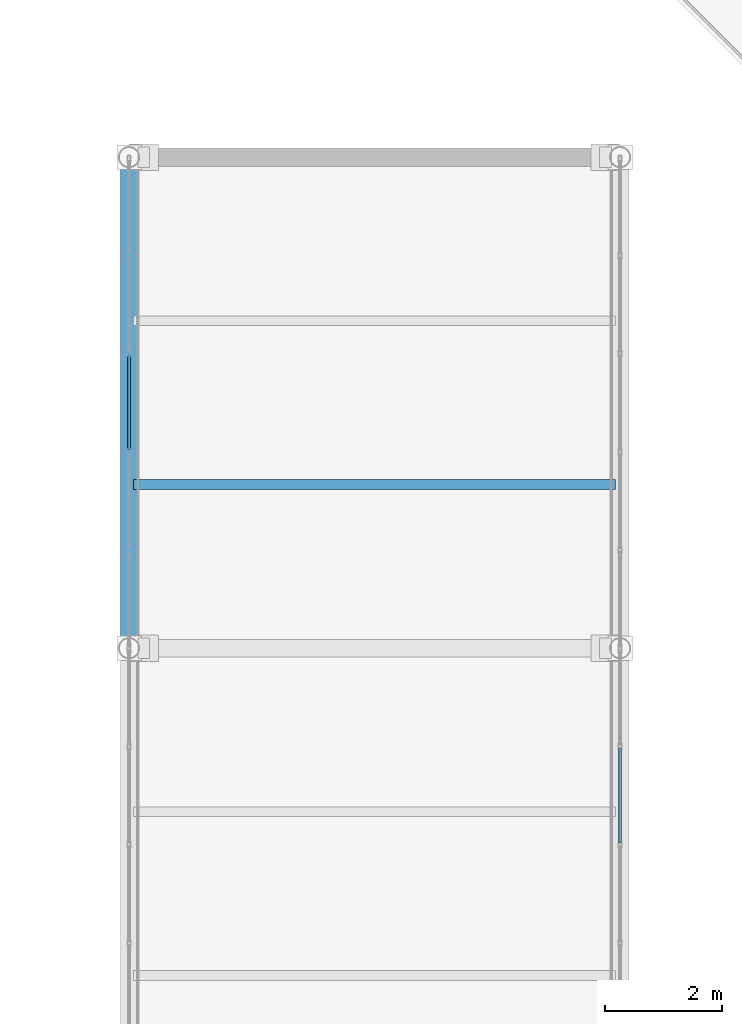
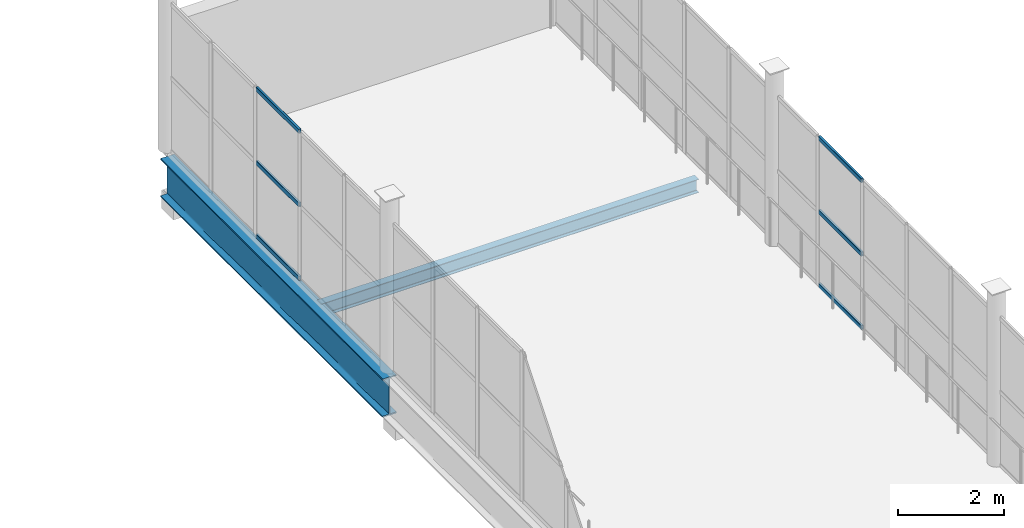
# One storey, part 65 of 184: 6 members, 2 beams, 2 elements without a shape of their own.
"""IFC4 building model written with IfcOpenShell, lengths in metres."""

from ifc_helpers import new_model, si_unit, direction, frame, origin, origin_2d, place, context, subcontext, project, spatial, hollow_rectangle, i_section, extrude, material, layer, layer_set, material_profile, profile_set, type_object, element, aggregate, save


model = new_model("IFC4")

# Units and contexts
model_context = context("Model", 3, precision=1e-05, world=origin(), true_north=direction((0.0, 1.0)))
body_context = subcontext(model_context, "Body", "Model", "MODEL_VIEW")
ifc_project = project(units=[si_unit("LENGTHUNIT", "METRE"), si_unit("AREAUNIT", "SQUARE_METRE"), si_unit("VOLUMEUNIT", "CUBIC_METRE"), si_unit("PLANEANGLEUNIT", "RADIAN"), si_unit("MASSUNIT", "GRAM", prefix="KILO")], contexts=[model_context])

# Site, building, storey
site_placement = place(None, origin())
site = spatial("IfcSite", under=ifc_project, at=site_placement, CompositionType="ELEMENT")
building_placement = place(site_placement, origin())
building = spatial("IfcBuilding", under=site, at=building_placement, Name="Qalvenar Corner Mobility Hub", CompositionType="ELEMENT")
storey_placement = place(building_placement, frame((0.0, 0.0, 9.0)))
storey = spatial("IfcBuildingStorey", under=building, at=storey_placement, Name="L02", CompositionType="ELEMENT", Elevation=9.0)

# Beams
ifc_material_1 = material(Name="Steel S355", Category="steel")
ifc_material_profile_1 = material_profile(ifc_material_1, i_section(OverallWidth=0.300048828125, OverallDepth=0.889892578125, WebThickness=0.01611328125, FlangeThickness=0.030029296875, FilletRadius=0.027099609375, at=origin_2d()), Name="HEA900")
ifc_profile_set_1 = profile_set([ifc_material_profile_1], Name="Steel S355")
beam_type_1 = type_object("IfcBeamType", Name="BM-BRG900", PredefinedType="BEAM", material=ifc_profile_set_1)
beam_1_placement = place(storey_placement, frame((50.39990234375, 58.800048828125, -0.635009765625), z_axis=(0.0, 1.0, 0.0), x_axis=(-1.0, 0.0, 0.0)))
element("IfcBeam", 1, at=beam_1_placement, inside=storey, type_object=beam_type_1, Name="Court Link Bridge Girder BRG-2175", PredefinedType="BEAM", context=body_context, shape_type="SweptSolid", body=[
    extrude(i_section(OverallWidth=0.300048828125, OverallDepth=0.889892578125, WebThickness=0.01611328125, FlangeThickness=0.030029296875, FilletRadius=0.027099609375, at=origin_2d()), origin(), (0.0, 0.0, 1.0), 8.39990234375),
])
ifc_material_profile_2 = material_profile(ifc_material_1, i_section(OverallWidth=0.1650390625, OverallDepth=0.31005859375, WebThickness=0.005859375, FlangeThickness=0.009765625, FilletRadius=0.011962890625, at=origin_2d()), Name="W310x38.7")
ifc_profile_set_2 = profile_set([ifc_material_profile_2], Name="Steel S355")
beam_type_2 = type_object("IfcBeamType", Name="BM-JST310", PredefinedType="JOIST", material=ifc_profile_set_2)
beam_2_placement = place(storey_placement, frame((50.47802734375, 61.60009765625, -0.344970703125), z_axis=(1.0, 0.0, 0.0), x_axis=(0.0, 1.0, 0.0)))
element("IfcBeam", 2, at=beam_2_placement, inside=storey, type_object=beam_type_2, Name="Composite Floor Joist J-2186", PredefinedType="JOIST", context=body_context, shape_type="SweptSolid", body=[
    extrude(i_section(OverallWidth=0.1650390625, OverallDepth=0.31005859375, WebThickness=0.005859375, FlangeThickness=0.009765625, FilletRadius=0.011962890625, at=origin_2d()), origin(), (0.0, 0.0, 1.0), 8.243896484375),
])

# Curtain wall, members
ifc_material_2 = material(Name="Anodised Aluminium and Low-E Glazing", Category="aluminium")
ifc_layer = layer(ifc_material_2, 0.1201171875)
ifc_layer_set = layer_set([ifc_layer], Name="Anodised Aluminium and Low-E Glazing")
curtain_wall_type = type_object("IfcCurtainWallType", Name="CW-BRG-84X28", PredefinedType="NOTDEFINED", material=ifc_layer_set)
curtain_wall_1_placement = place(storey_placement, origin())
curtain_wall_1 = element("IfcCurtainWall", 3, at=curtain_wall_1_placement, inside=storey, type_object=curtain_wall_type, Name="Glazed Curtain Wall CW-BRG-L02-E2", PredefinedType="NOTDEFINED")
ifc_material_3 = material(Name="Anodised Aluminium 6063-T6", Category="aluminium")
ifc_material_profile_3 = material_profile(ifc_material_3, hollow_rectangle(XDim=0.050048828125, YDim=0.10009765625, WallThickness=0.0029296875, InnerFilletRadius=0.0029296875, OuterFilletRadius=0.006103515625, at=origin_2d()), Name="RHS100x50x3")
ifc_profile_set_3 = profile_set([ifc_material_profile_3], Name="Anodised Aluminium 6063-T6")
member_type = type_object("IfcMemberType", Name="CW-TRN100", PredefinedType="USERDEFINED", material=ifc_profile_set_3)
member_1_placement = place(storey_placement, frame((58.800048828125, 55.469970703125, 0.027587890625), z_axis=(0.0, 1.0, 0.0), x_axis=(-1.0, 0.0, 0.0)))
member_1 = element("IfcMember", 4, at=member_1_placement, type_object=member_type, Name="CW-11 transom 4.1", ObjectType="TRANSOM", PredefinedType="USERDEFINED", context=body_context, shape_type="SweptSolid", body=[
    extrude(hollow_rectangle(XDim=0.050048828125, YDim=0.10009765625, WallThickness=0.0029296875, InnerFilletRadius=0.0029296875, OuterFilletRadius=0.006103515625, at=origin_2d()), origin(), (0.0, 0.0, 1.0), 1.6201171875),
])
member_2_placement = place(storey_placement, frame((58.800048828125, 55.469970703125, 1.72509765625), z_axis=(0.0, 1.0, 0.0), x_axis=(-1.0, 0.0, 0.0)))
member_2 = element("IfcMember", 5, at=member_2_placement, type_object=member_type, Name="CW-11 transom 4.2", ObjectType="TRANSOM", PredefinedType="USERDEFINED", context=body_context, shape_type="SweptSolid", body=[
    extrude(hollow_rectangle(XDim=0.050048828125, YDim=0.10009765625, WallThickness=0.0029296875, InnerFilletRadius=0.0029296875, OuterFilletRadius=0.006103515625, at=origin_2d()), origin(), (0.0, 0.0, 1.0), 1.6201171875),
])
member_3_placement = place(storey_placement, frame((58.800048828125, 55.469970703125, 3.422607421875), z_axis=(0.0, 1.0, 0.0), x_axis=(-1.0, 0.0, 0.0)))
member_3 = element("IfcMember", 6, at=member_3_placement, type_object=member_type, Name="CW-11 transom 4.3", ObjectType="TRANSOM", PredefinedType="USERDEFINED", context=body_context, shape_type="SweptSolid", body=[
    extrude(hollow_rectangle(XDim=0.050048828125, YDim=0.10009765625, WallThickness=0.0029296875, InnerFilletRadius=0.0029296875, OuterFilletRadius=0.006103515625, at=origin_2d()), origin(), (0.0, 0.0, 1.0), 1.6201171875),
])
aggregate(curtain_wall_1, [member_1, member_2, member_3])

curtain_wall_2_placement = place(storey_placement, origin())
curtain_wall_2 = element("IfcCurtainWall", 7, at=curtain_wall_2_placement, inside=storey, type_object=curtain_wall_type, Name="Glazed Curtain Wall CW-BRG-L02-W3", PredefinedType="NOTDEFINED")
member_4_placement = place(storey_placement, frame((50.39990234375, 63.81005859375, 0.027587890625), z_axis=(0.0, -1.0, 0.0), x_axis=(1.0, 0.0, 0.0)))
member_4 = element("IfcMember", 8, at=member_4_placement, type_object=member_type, Name="CW-11 transom 3.1", ObjectType="TRANSOM", PredefinedType="USERDEFINED", context=body_context, shape_type="SweptSolid", body=[
    extrude(hollow_rectangle(XDim=0.050048828125, YDim=0.10009765625, WallThickness=0.0029296875, InnerFilletRadius=0.0029296875, OuterFilletRadius=0.006103515625, at=origin_2d()), origin(), (0.0, 0.0, 1.0), 1.6201171875),
])
member_5_placement = place(storey_placement, frame((50.39990234375, 63.81005859375, 1.72509765625), z_axis=(0.0, -1.0, 0.0), x_axis=(1.0, 0.0, 0.0)))
member_5 = element("IfcMember", 9, at=member_5_placement, type_object=member_type, Name="CW-11 transom 3.2", ObjectType="TRANSOM", PredefinedType="USERDEFINED", context=body_context, shape_type="SweptSolid", body=[
    extrude(hollow_rectangle(XDim=0.050048828125, YDim=0.10009765625, WallThickness=0.0029296875, InnerFilletRadius=0.0029296875, OuterFilletRadius=0.006103515625, at=origin_2d()), origin(), (0.0, 0.0, 1.0), 1.6201171875),
])
member_6_placement = place(storey_placement, frame((50.39990234375, 63.81005859375, 3.422607421875), z_axis=(0.0, -1.0, 0.0), x_axis=(1.0, 0.0, 0.0)))
member_6 = element("IfcMember", 10, at=member_6_placement, type_object=member_type, Name="CW-11 transom 3.3", ObjectType="TRANSOM", PredefinedType="USERDEFINED", context=body_context, shape_type="SweptSolid", body=[
    extrude(hollow_rectangle(XDim=0.050048828125, YDim=0.10009765625, WallThickness=0.0029296875, InnerFilletRadius=0.0029296875, OuterFilletRadius=0.006103515625, at=origin_2d()), origin(), (0.0, 0.0, 1.0), 1.6201171875),
])
aggregate(curtain_wall_2, [member_4, member_5, member_6])

save(model, "model.ifc")
